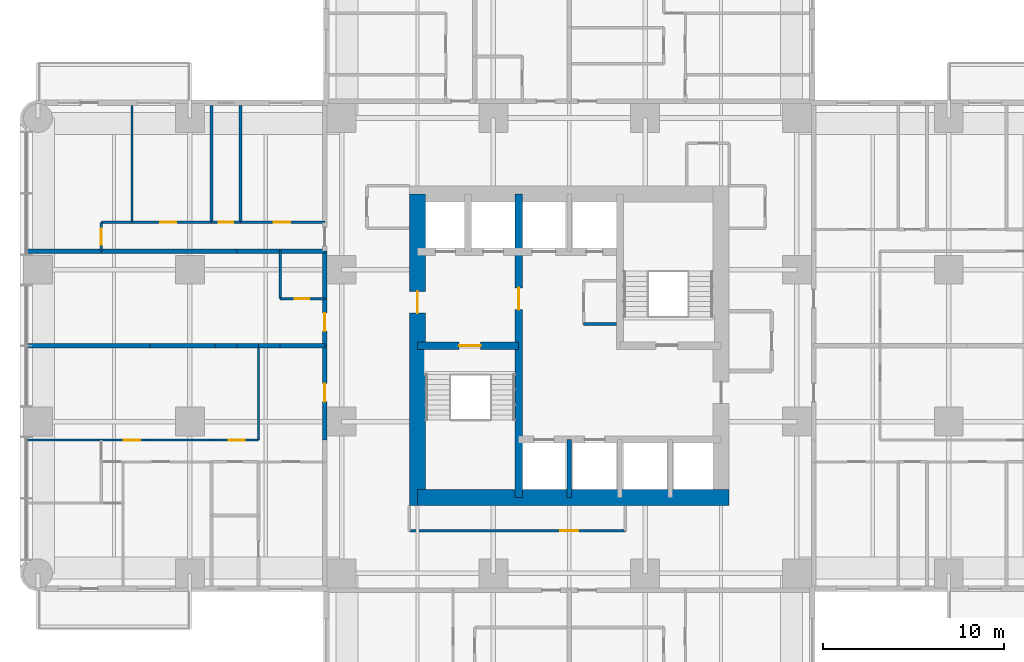
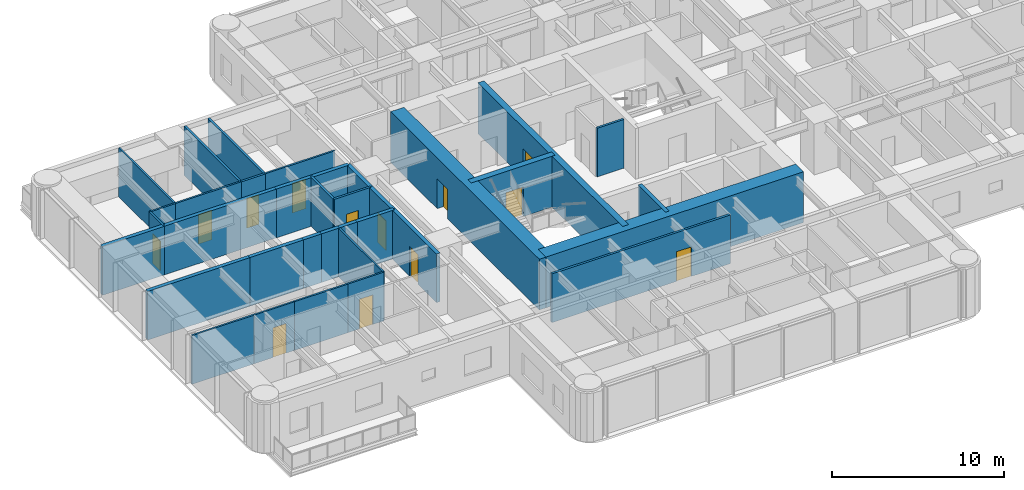
# One storey, part 7 of 14: 35 walls, 13 doors, 13 openings.
"""IFC4 building model written with IfcOpenShell, lengths in metres."""

from ifc_helpers import new_model, si_unit, direction, frame, frame_2d, origin, place, context, subcontext, project, spatial, rectangle, extrude, material, layer, layer_set, type_object, element, fill, save


model = new_model("IFC4")

# Units and contexts
model_context = context("Model", 3, precision=1e-05, world=origin(), true_north=direction((0.0, 1.0)))
body_context = subcontext(model_context, "Body", "Model", "MODEL_VIEW")
ifc_project = project(units=[si_unit("LENGTHUNIT", "METRE"), si_unit("AREAUNIT", "SQUARE_METRE"), si_unit("VOLUMEUNIT", "CUBIC_METRE"), si_unit("PLANEANGLEUNIT", "RADIAN"), si_unit("MASSUNIT", "GRAM", prefix="KILO")], contexts=[model_context])

# Site, building, storey
site_placement = place(None, origin())
site = spatial("IfcSite", under=ifc_project, at=site_placement, CompositionType="ELEMENT")
building_placement = place(site_placement, origin())
building = spatial("IfcBuilding", under=site, at=building_placement, Name="Torre Alcanfor", CompositionType="ELEMENT")
storey_placement = place(building_placement, frame((0.0, 0.0, 134.10009765625)))
storey = spatial("IfcBuildingStorey", under=building, at=storey_placement, Name="L34", CompositionType="ELEMENT", Elevation=134.10009765625)

# Wall, opening, door
ifc_material_1 = material(Name="Concrete block masonry, hollow blocks NMX-C-404 9 MPa", Category="masonry")
ifc_layer_1 = layer(ifc_material_1, 0.25)
ifc_layer_set_1 = layer_set([ifc_layer_1], Name="Apartment entrance wall 250 EI 60")
wall_type_1 = type_object("IfcWallType", Name="Apartment entrance wall 250 EI 60", PredefinedType="PARTITIONING", material=ifc_layer_set_1)
wall_1_placement = place(storey_placement, frame((15.875, 24.1708984375, 0.0), z_axis=(0.0, 0.0, 1.0), x_axis=(0.0, 1.0, 0.0)))
wall_1 = element("IfcWall", 1, at=wall_1_placement, inside=storey, type_object=wall_type_1, Name="Partition L34-CORR / L34-W1-ZAG", PredefinedType="PARTITIONING", context=body_context, shape_type="SweptSolid", body=[
    extrude(rectangle(XDim=5.22900390625, YDim=0.25, at=frame_2d((2.614501953125, 0.0))), origin(), (0.0, 0.0, 1.0), 3.449951171875),
])
opening_1_placement = place(wall_1_placement, frame((2.12890625, 0.0, 0.0)))
opening_1 = element("IfcOpeningElement", 2, at=opening_1_placement, cuts=wall_1, Name="Opening D-A1", PredefinedType="OPENING", context=body_context, shape_type="SweptSolid", body=[
    extrude(rectangle(XDim=1.0, YDim=2.10009765625, at=frame_2d((0.5, 1.050048828125))), frame((0.0, 0.135009765625, 0.0), z_axis=(0.0, -1.0, 0.0), x_axis=(1.0, 0.0, 0.0)), (0.0, 0.0, 1.0), 0.27001953125),
])
ifc_material_2 = material(Name="Galvanised steel sheet ASTM A653", Category="steel")
door_type_1 = type_object("IfcDoorType", Name="Apartment entrance door FD60 1000x2100", OperationType="SINGLE_SWING_LEFT", PredefinedType="DOOR", material=ifc_material_2)
door_1_placement = place(opening_1_placement, origin())
door_1 = element("IfcDoor", 3, at=door_1_placement, inside=storey, type_object=door_type_1, Name="Apartment entrance L34-W1", OperationType="SINGLE_SWING_RIGHT", OverallHeight=2.10009765625, OverallWidth=1.0, PredefinedType="DOOR", context=body_context, shape_type="SweptSolid", body=[
    extrude(rectangle(XDim=1.0, YDim=2.10009765625, at=frame_2d((0.5, 1.050048828125))), frame((0.0, 0.02490234375, 0.0), z_axis=(0.0, -1.0, 0.0), x_axis=(1.0, 0.0, 0.0)), (0.0, 0.0, 1.0), 0.050048828125),
])
fill(opening_1, door_1)

wall_2_placement = place(storey_placement, frame((15.875, 29.39990234375, 0.0), z_axis=(0.0, 0.0, 1.0), x_axis=(0.0, 1.0, 0.0)))
wall_2 = element("IfcWall", 4, at=wall_2_placement, inside=storey, type_object=wall_type_1, Name="Partition L34-CORR / L34-W2A-FOYER", PredefinedType="PARTITIONING", context=body_context, shape_type="SweptSolid", body=[
    extrude(rectangle(XDim=2.60009765625, YDim=0.25, at=frame_2d((1.300048828125, 0.0))), origin(), (0.0, 0.0, 1.0), 3.449951171875),
])
opening_2_placement = place(wall_2_placement, frame((0.800048828125, 0.0, 0.0)))
opening_2 = element("IfcOpeningElement", 5, at=opening_2_placement, cuts=wall_2, Name="Opening D-A1", PredefinedType="OPENING", context=body_context, shape_type="SweptSolid", body=[
    extrude(rectangle(XDim=1.0, YDim=2.10009765625, at=frame_2d((0.5, 1.050048828125))), frame((0.0, 0.135009765625, 0.0), z_axis=(0.0, -1.0, 0.0), x_axis=(1.0, 0.0, 0.0)), (0.0, 0.0, 1.0), 0.27001953125),
])
door_2_placement = place(opening_2_placement, origin())
door_2 = element("IfcDoor", 6, at=door_2_placement, inside=storey, type_object=door_type_1, Name="Apartment entrance L34-W2A", OperationType="SINGLE_SWING_LEFT", OverallHeight=2.10009765625, OverallWidth=1.0, PredefinedType="DOOR", context=body_context, shape_type="SweptSolid", body=[
    extrude(rectangle(XDim=1.0, YDim=2.10009765625, at=frame_2d((0.5, 1.050048828125))), frame((0.0, 0.02490234375, 0.0), z_axis=(0.0, -1.0, 0.0), x_axis=(1.0, 0.0, 0.0)), (0.0, 0.0, 1.0), 0.050048828125),
])
fill(opening_2, door_2)

# Walls
wall_3_placement = place(storey_placement, frame((15.875, 32.0, 0.0), z_axis=(0.0, 0.0, 1.0), x_axis=(0.0, 1.0, 0.0)))
element("IfcWall", 7, at=wall_3_placement, inside=storey, type_object=wall_type_1, Name="Partition L34-CORR / L34-W2A-BATH", PredefinedType="PARTITIONING", context=body_context, shape_type="SweptSolid", body=[
    extrude(rectangle(XDim=2.62890625, YDim=0.25, at=frame_2d((1.314453125, 0.0))), origin(), (0.0, 0.0, 1.0), 3.449951171875),
])
ifc_material_3 = material(Name="Gypsum board on steel studs", Category="steel")
ifc_layer_2 = layer(ifc_material_3, 0.1201171875)
ifc_layer_set_2 = layer_set([ifc_layer_2], Name="Apartment partition 120")
wall_type_2 = type_object("IfcWallType", Name="Apartment partition 120", PredefinedType="PARTITIONING", material=ifc_layer_set_2)
wall_4_placement = place(storey_placement, frame((12.199951171875, 29.39990234375, 0.0), z_axis=(0.0, 0.0, 1.0), x_axis=(0.0, -1.0, 0.0)))
element("IfcWall", 8, at=wall_4_placement, inside=storey, type_object=wall_type_2, Name="Partition L34-W1-ZAG / L34-W1-LAUND", PredefinedType="PARTITIONING", context=body_context, shape_type="SweptSolid", body=[
    extrude(rectangle(XDim=5.22900390625, YDim=0.1201171875, at=frame_2d((2.614501953125, 0.0))), origin(), (0.0, 0.0, 1.0), 3.449951171875),
])

# Wall, opening, door
wall_5_placement = place(storey_placement, frame((9.800048828125, 24.1708984375, 0.0), z_axis=(0.0, 0.0, 1.0), x_axis=(1.0, 0.0, 0.0)))
wall_5 = element("IfcWall", 9, at=wall_5_placement, inside=storey, type_object=wall_type_2, Name="Partition L34-W1-LAUND / L34-W1-HALL", PredefinedType="PARTITIONING", context=body_context, shape_type="SweptSolid", body=[
    extrude(rectangle(XDim=2.39990234375, YDim=0.1201171875, at=frame_2d((1.199951171875, 0.0))), origin(), (0.0, 0.0, 1.0), 3.449951171875),
])
opening_3_placement = place(wall_5_placement, frame((0.75, 0.0, 0.0)))
opening_3 = element("IfcOpeningElement", 10, at=opening_3_placement, cuts=wall_5, Name="Opening D-R1", PredefinedType="OPENING", context=body_context, shape_type="SweptSolid", body=[
    extrude(rectangle(XDim=0.89990234375, YDim=2.10009765625, at=frame_2d((0.449951171875, 1.050048828125))), frame((0.0, 0.070068359375, 0.0), z_axis=(0.0, -1.0, 0.0), x_axis=(1.0, 0.0, 0.0)), (0.0, 0.0, 1.0), 0.14013671875),
])
ifc_material_4 = material(Name="Timber", Category="wood")
door_type_2 = type_object("IfcDoorType", Name="Internal door 900x2100", OperationType="SINGLE_SWING_LEFT", PredefinedType="DOOR", material=ifc_material_4)
door_3_placement = place(opening_3_placement, origin())
door_3 = element("IfcDoor", 11, at=door_3_placement, inside=storey, type_object=door_type_2, Name="Door L34-W1 laund", OperationType="SINGLE_SWING_LEFT", OverallHeight=2.10009765625, OverallWidth=0.89990234375, PredefinedType="DOOR", context=body_context, shape_type="SweptSolid", body=[
    extrude(rectangle(XDim=0.89990234375, YDim=2.10009765625, at=frame_2d((0.449951171875, 1.050048828125))), frame((0.0, 0.02490234375, 0.0), z_axis=(0.0, -1.0, 0.0), x_axis=(1.0, 0.0, 0.0)), (0.0, 0.0, 1.0), 0.050048828125),
])
fill(opening_3, door_3)

# Wall
wall_6_placement = place(storey_placement, frame((6.199951171875, 24.1708984375, 0.0), z_axis=(0.0, 0.0, 1.0), x_axis=(1.0, 0.0, 0.0)))
element("IfcWall", 12, at=wall_6_placement, inside=storey, type_object=wall_type_2, Name="Partition L34-W1-KITCHEN / L34-W1-HALL", PredefinedType="PARTITIONING", context=body_context, shape_type="SweptSolid", body=[
    extrude(rectangle(XDim=3.60009765625, YDim=0.1201171875, at=frame_2d((1.800048828125, 0.0))), origin(), (0.0, 0.0, 1.0), 3.449951171875),
])

# Wall, opening, door
wall_7_placement = place(storey_placement, frame((3.5, 24.1708984375, 0.0), z_axis=(0.0, 0.0, 1.0), x_axis=(1.0, 0.0, 0.0)))
wall_7 = element("IfcWall", 13, at=wall_7_placement, inside=storey, type_object=wall_type_2, Name="Partition L34-W1-LIVING / L34-W1-HALL", PredefinedType="PARTITIONING", context=body_context, shape_type="SweptSolid", body=[
    extrude(rectangle(XDim=2.699951171875, YDim=0.1201171875, at=frame_2d((1.35009765625, 0.0))), origin(), (0.0, 0.0, 1.0), 3.449951171875),
])
opening_4_placement = place(wall_7_placement, frame((1.25, 0.0, 0.0)))
opening_4 = element("IfcOpeningElement", 14, at=opening_4_placement, cuts=wall_7, Name="Opening D-R1", PredefinedType="OPENING", context=body_context, shape_type="SweptSolid", body=[
    extrude(rectangle(XDim=0.89990234375, YDim=2.10009765625, at=frame_2d((0.449951171875, 1.050048828125))), frame((0.0, 0.070068359375, 0.0), z_axis=(0.0, -1.0, 0.0), x_axis=(1.0, 0.0, 0.0)), (0.0, 0.0, 1.0), 0.14013671875),
])
door_4_placement = place(opening_4_placement, origin())
door_4 = element("IfcDoor", 15, at=door_4_placement, inside=storey, type_object=door_type_2, Name="Door L34-W1 living", OperationType="SINGLE_SWING_RIGHT", OverallHeight=2.10009765625, OverallWidth=0.89990234375, PredefinedType="DOOR", context=body_context, shape_type="SweptSolid", body=[
    extrude(rectangle(XDim=0.89990234375, YDim=2.10009765625, at=frame_2d((0.449951171875, 1.050048828125))), frame((0.0, 0.02490234375, 0.0), z_axis=(0.0, -1.0, 0.0), x_axis=(1.0, 0.0, 0.0)), (0.0, 0.0, 1.0), 0.050048828125),
])
fill(opening_4, door_4)

# Wall
wall_8_placement = place(storey_placement, frame((-0.64990234375, 24.1708984375, 0.0), z_axis=(0.0, 0.0, 1.0), x_axis=(1.0, 0.0, 0.0)))
element("IfcWall", 16, at=wall_8_placement, inside=storey, type_object=wall_type_2, Name="Partition L34-W1-LIVING / L34-W1-BED2", PredefinedType="PARTITIONING", context=body_context, shape_type="SweptSolid", body=[
    extrude(rectangle(XDim=4.14990234375, YDim=0.1201171875, at=frame_2d((2.074951171875, 0.0))), origin(), (0.0, 0.0, 1.0), 3.449951171875),
])

# Wall, opening, door
wall_9_placement = place(storey_placement, frame((11.199951171875, 36.22900390625, 0.0), z_axis=(0.0, 0.0, 1.0), x_axis=(1.0, 0.0, 0.0)))
wall_9 = element("IfcWall", 17, at=wall_9_placement, inside=storey, type_object=wall_type_2, Name="Partition L34-W2B-HALL / L34-W2B-MASTER", PredefinedType="PARTITIONING", context=body_context, shape_type="SweptSolid", body=[
    extrude(rectangle(XDim=4.675048828125, YDim=0.1201171875, at=frame_2d((2.33740234375, 0.0))), origin(), (0.0, 0.0, 1.0), 3.449951171875),
])
opening_5_placement = place(wall_9_placement, frame((1.85009765625, 0.0, 0.0)))
opening_5 = element("IfcOpeningElement", 18, at=opening_5_placement, cuts=wall_9, Name="Opening D-R1", PredefinedType="OPENING", context=body_context, shape_type="SweptSolid", body=[
    extrude(rectangle(XDim=0.89990234375, YDim=2.10009765625, at=frame_2d((0.449951171875, 1.050048828125))), frame((0.0, 0.070068359375, 0.0), z_axis=(0.0, -1.0, 0.0), x_axis=(1.0, 0.0, 0.0)), (0.0, 0.0, 1.0), 0.14013671875),
])
door_5_placement = place(opening_5_placement, origin())
door_5 = element("IfcDoor", 19, at=door_5_placement, inside=storey, type_object=door_type_2, Name="Door L34-W2B master", OperationType="SINGLE_SWING_LEFT", OverallHeight=2.10009765625, OverallWidth=0.89990234375, PredefinedType="DOOR", context=body_context, shape_type="SweptSolid", body=[
    extrude(rectangle(XDim=0.89990234375, YDim=2.10009765625, at=frame_2d((0.449951171875, 1.050048828125))), frame((0.0, 0.02490234375, 0.0), z_axis=(0.0, -1.0, 0.0), x_axis=(1.0, 0.0, 0.0)), (0.0, 0.0, 1.0), 0.050048828125),
])
fill(opening_5, door_5)

wall_10_placement = place(storey_placement, frame((5.199951171875, 36.22900390625, 0.0), z_axis=(0.0, 0.0, 1.0), x_axis=(1.0, 0.0, 0.0)))
wall_10 = element("IfcWall", 20, at=wall_10_placement, inside=storey, type_object=wall_type_2, Name="Partition L34-W2B-HALL / L34-W2B-STUDY", PredefinedType="PARTITIONING", context=body_context, shape_type="SweptSolid", body=[
    extrude(rectangle(XDim=4.400146484375, YDim=0.1201171875, at=frame_2d((2.2001953125, 0.0))), origin(), (0.0, 0.0, 1.0), 3.449951171875),
])
opening_6_placement = place(wall_10_placement, frame((1.550048828125, 0.0, 0.0)))
opening_6 = element("IfcOpeningElement", 21, at=opening_6_placement, cuts=wall_10, Name="Opening D-R1", PredefinedType="OPENING", context=body_context, shape_type="SweptSolid", body=[
    extrude(rectangle(XDim=0.89990234375, YDim=2.10009765625, at=frame_2d((0.449951171875, 1.050048828125))), frame((0.0, 0.070068359375, 0.0), z_axis=(0.0, -1.0, 0.0), x_axis=(1.0, 0.0, 0.0)), (0.0, 0.0, 1.0), 0.14013671875),
])
door_6_placement = place(opening_6_placement, origin())
door_6 = element("IfcDoor", 22, at=door_6_placement, inside=storey, type_object=door_type_2, Name="Door L34-W2B study", OperationType="SINGLE_SWING_LEFT", OverallHeight=2.10009765625, OverallWidth=0.89990234375, PredefinedType="DOOR", context=body_context, shape_type="SweptSolid", body=[
    extrude(rectangle(XDim=0.89990234375, YDim=2.10009765625, at=frame_2d((0.449951171875, 1.050048828125))), frame((0.0, 0.02490234375, 0.0), z_axis=(0.0, -1.0, 0.0), x_axis=(1.0, 0.0, 0.0)), (0.0, 0.0, 1.0), 0.050048828125),
])
fill(opening_6, door_6)

# Wall
wall_11_placement = place(storey_placement, frame((3.5, 36.22900390625, 0.0), z_axis=(0.0, 0.0, 1.0), x_axis=(1.0, 0.0, 0.0)))
element("IfcWall", 23, at=wall_11_placement, inside=storey, type_object=wall_type_2, Name="Partition L34-W2B-HALL / L34-W2B-KITCHEN", PredefinedType="PARTITIONING", context=body_context, shape_type="SweptSolid", body=[
    extrude(rectangle(XDim=1.699951171875, YDim=0.1201171875, at=frame_2d((0.85009765625, 0.0))), origin(), (0.0, 0.0, 1.0), 3.449951171875),
])

# Wall, opening, door
wall_12_placement = place(storey_placement, frame((3.5, 34.62890625, 0.0), z_axis=(0.0, 0.0, 1.0), x_axis=(0.0, 1.0, 0.0)))
wall_12 = element("IfcWall", 24, at=wall_12_placement, inside=storey, type_object=wall_type_2, Name="Partition L34-W2B-HALL / L34-W2B-LIVING", PredefinedType="PARTITIONING", context=body_context, shape_type="SweptSolid", body=[
    extrude(rectangle(XDim=1.60009765625, YDim=0.1201171875, at=frame_2d((0.800048828125, 0.0))), origin(), (0.0, 0.0, 1.0), 3.449951171875),
])
opening_7_placement = place(wall_12_placement, frame((0.35009765625, 0.0, 0.0)))
opening_7 = element("IfcOpeningElement", 25, at=opening_7_placement, cuts=wall_12, Name="Opening D-R1", PredefinedType="OPENING", context=body_context, shape_type="SweptSolid", body=[
    extrude(rectangle(XDim=0.89990234375, YDim=2.10009765625, at=frame_2d((0.449951171875, 1.050048828125))), frame((0.0, 0.070068359375, 0.0), z_axis=(0.0, -1.0, 0.0), x_axis=(1.0, 0.0, 0.0)), (0.0, 0.0, 1.0), 0.14013671875),
])
door_7_placement = place(opening_7_placement, origin())
door_7 = element("IfcDoor", 26, at=door_7_placement, inside=storey, type_object=door_type_2, Name="Door L34-W2B living", OperationType="SINGLE_SWING_LEFT", OverallHeight=2.10009765625, OverallWidth=0.89990234375, PredefinedType="DOOR", context=body_context, shape_type="SweptSolid", body=[
    extrude(rectangle(XDim=0.89990234375, YDim=2.10009765625, at=frame_2d((0.449951171875, 1.050048828125))), frame((0.0, 0.02490234375, 0.0), z_axis=(0.0, -1.0, 0.0), x_axis=(1.0, 0.0, 0.0)), (0.0, 0.0, 1.0), 0.050048828125),
])
fill(opening_7, door_7)

# Wall
wall_13_placement = place(storey_placement, frame((5.199951171875, 36.22900390625, 0.0), z_axis=(0.0, 0.0, 1.0), x_axis=(0.0, 1.0, 0.0)))
element("IfcWall", 27, at=wall_13_placement, inside=storey, type_object=wall_type_2, Name="Partition L34-W2B-STUDY / L34-W2B-KITCHEN", PredefinedType="PARTITIONING", context=body_context, shape_type="SweptSolid", body=[
    extrude(rectangle(XDim=6.470947265625, YDim=0.1201171875, at=frame_2d((3.2353515625, 0.0))), origin(), (0.0, 0.0, 1.0), 3.449951171875),
])

# Wall, opening, door
ifc_material_5 = material(Name="Concrete f'c 70 MPa", Category="concrete")
ifc_layer_3 = layer(ifc_material_5, 0.39990234375)
ifc_layer_set_3 = layer_set([ifc_layer_3], Name="Core inner wall 400 f'c70")
wall_type_3 = type_object("IfcWallType", Name="Core inner wall 400 f'c70", PredefinedType="SHEAR", material=ifc_layer_set_3)
wall_14_placement = place(storey_placement, frame((26.60009765625, 21.0, 0.0), z_axis=(0.0, 0.0, 1.0), x_axis=(0.0, 1.0, 0.0)))
wall_14 = element("IfcWall", 28, at=wall_14_placement, inside=storey, type_object=wall_type_3, Name="Core wall X266 L34", PredefinedType="SHEAR", context=body_context, shape_type="SweptSolid", body=[
    extrude(rectangle(XDim=16.800048828125, YDim=0.39990234375, at=frame_2d((8.39990234375, 0.0))), origin(), (0.0, 0.0, 1.0), 3.599853515625),
])
opening_8_placement = place(wall_14_placement, frame((10.39990234375, 0.0, 0.0)))
opening_8 = element("IfcOpeningElement", 29, at=opening_8_placement, cuts=wall_14, Name="Opening D-L1", PredefinedType="OPENING", context=body_context, shape_type="SweptSolid", body=[
    extrude(rectangle(XDim=1.199951171875, YDim=2.10009765625, at=frame_2d((0.60009765625, 1.050048828125))), frame((0.0, 0.2099609375, 0.0), z_axis=(0.0, -1.0, 0.0), x_axis=(1.0, 0.0, 0.0)), (0.0, 0.0, 1.0), 0.419921875),
])
ifc_material_6 = material(Name="Galvanised steel sheet ASTM A653", Category="steel")
door_type_3 = type_object("IfcDoorType", Name="Lobby door FD120 1200x2100", OperationType="SINGLE_SWING_LEFT", PredefinedType="DOOR", material=ifc_material_6)
door_8_placement = place(opening_8_placement, origin())
door_8 = element("IfcDoor", 30, at=door_8_placement, inside=storey, type_object=door_type_3, Name="Lift lobby door L34", OperationType="SINGLE_SWING_LEFT", OverallHeight=2.10009765625, OverallWidth=1.199951171875, PredefinedType="DOOR", context=body_context, shape_type="SweptSolid", body=[
    extrude(rectangle(XDim=1.199951171875, YDim=2.10009765625, at=frame_2d((0.60009765625, 1.050048828125))), frame((0.0, 0.02490234375, 0.0), z_axis=(0.0, -1.0, 0.0), x_axis=(1.0, 0.0, 0.0)), (0.0, 0.0, 1.0), 0.050048828125),
])
fill(opening_8, door_8)

wall_15_placement = place(storey_placement, frame((21.0, 29.39990234375, 0.0), z_axis=(0.0, 0.0, 1.0), x_axis=(1.0, 0.0, 0.0)))
wall_15 = element("IfcWall", 31, at=wall_15_placement, inside=storey, type_object=wall_type_3, Name="Core wall Y294W L34", PredefinedType="SHEAR", context=body_context, shape_type="SweptSolid", body=[
    extrude(rectangle(XDim=5.60009765625, YDim=0.39990234375, at=frame_2d((2.800048828125, 0.0))), origin(), (0.0, 0.0, 1.0), 3.599853515625),
])
opening_9_placement = place(wall_15_placement, frame((2.300048828125, 0.0, 0.0)))
opening_9 = element("IfcOpeningElement", 32, at=opening_9_placement, cuts=wall_15, Name="Opening D-S2", PredefinedType="OPENING", context=body_context, shape_type="SweptSolid", body=[
    extrude(rectangle(XDim=1.199951171875, YDim=2.10009765625, at=frame_2d((0.60009765625, 1.050048828125))), frame((0.0, 0.2099609375, 0.0), z_axis=(0.0, -1.0, 0.0), x_axis=(1.0, 0.0, 0.0)), (0.0, 0.0, 1.0), 0.419921875),
])
ifc_material_7 = material(Name="Galvanised steel sheet ASTM A653", Category="steel")
door_type_4 = type_object("IfcDoorType", Name="Stair enclosure door FD120 1200x2100", OperationType="SINGLE_SWING_LEFT", PredefinedType="DOOR", material=ifc_material_7)
door_9_placement = place(opening_9_placement, frame((1.199951171875, 0.0, 0.0), z_axis=(0.0, 0.0, 1.0), x_axis=(-1.0, 0.0, 0.0)))
door_9 = element("IfcDoor", 33, at=door_9_placement, inside=storey, type_object=door_type_4, Name="Stair S1 door L34", OperationType="SINGLE_SWING_LEFT", OverallHeight=2.10009765625, OverallWidth=1.199951171875, PredefinedType="DOOR", context=body_context, shape_type="SweptSolid", body=[
    extrude(rectangle(XDim=1.199951171875, YDim=2.10009765625, at=frame_2d((0.599853515625, 1.050048828125))), frame((0.0, 0.025146484375, 0.0), z_axis=(0.0, -1.0, 0.0), x_axis=(1.0, 0.0, 0.0)), (0.0, 0.0, 1.0), 0.050048828125),
])
fill(opening_9, door_9)

# Walls
ifc_material_8 = material(Name="Concrete f'c 70 MPa", Category="concrete")
ifc_layer_4 = layer(ifc_material_8, 0.25)
ifc_layer_set_4 = layer_set([ifc_layer_4], Name="Core shaft wall 250 f'c70")
wall_type_4 = type_object("IfcWallType", Name="Core shaft wall 250 f'c70", PredefinedType="SHEAR", material=ifc_layer_set_4)
wall_16_placement = place(storey_placement, frame((29.39990234375, 21.0, 0.0), z_axis=(0.0, 0.0, 1.0), x_axis=(0.0, 1.0, 0.0)))
element("IfcWall", 34, at=wall_16_placement, inside=storey, type_object=wall_type_4, Name="Core wall X294S L34", PredefinedType="SHEAR", context=body_context, shape_type="SweptSolid", body=[
    extrude(rectangle(XDim=3.199951171875, YDim=0.25, at=frame_2d((1.60009765625, 0.0))), origin(), (0.0, 0.0, 1.0), 3.599853515625),
])
ifc_material_9 = material(Name="Concrete f'c 70 MPa", Category="concrete")
ifc_layer_5 = layer(ifc_material_9, 0.89990234375)
ifc_layer_set_5 = layer_set([ifc_layer_5], Name="Core wall 900 f'c70")
wall_type_5 = type_object("IfcWallType", Name="Core wall 900 f'c70", PredefinedType="SHEAR", material=ifc_layer_set_5)
wall_17_placement = place(storey_placement, frame((21.0, 21.0, 0.0), z_axis=(0.0, 0.0, 1.0), x_axis=(1.0, 0.0, 0.0)))
element("IfcWall", 35, at=wall_17_placement, inside=storey, type_object=wall_type_5, Name="Core wall OUT-S L34", PredefinedType="SHEAR", context=body_context, shape_type="SweptSolid", body=[
    extrude(rectangle(XDim=17.25, YDim=0.89990234375, at=frame_2d((8.625, 0.0))), origin(), (0.0, 0.0, 1.0), 3.599853515625),
])

# Wall, opening, door
wall_18_placement = place(storey_placement, frame((21.0, 37.800048828125, 0.0), z_axis=(0.0, 0.0, 1.0), x_axis=(0.0, -1.0, 0.0)))
wall_18 = element("IfcWall", 36, at=wall_18_placement, inside=storey, type_object=wall_type_5, Name="Core wall OUT-W L34", PredefinedType="SHEAR", context=body_context, shape_type="SweptSolid", body=[
    extrude(rectangle(XDim=17.25, YDim=0.89990234375, at=frame_2d((8.625, 0.0))), origin(), (0.0, 0.0, 1.0), 3.599853515625),
])
opening_10_placement = place(wall_18_placement, frame((5.39990234375, 0.0, 0.0)))
opening_10 = element("IfcOpeningElement", 37, at=opening_10_placement, cuts=wall_18, Name="Opening D-L1", PredefinedType="OPENING", context=body_context, shape_type="SweptSolid", body=[
    extrude(rectangle(XDim=1.199951171875, YDim=2.10009765625, at=frame_2d((0.60009765625, 1.050048828125))), frame((0.0, 0.4599609375, 0.0), z_axis=(0.0, -1.0, 0.0), x_axis=(1.0, 0.0, 0.0)), (0.0, 0.0, 1.0), 0.919921875),
])
door_10_placement = place(opening_10_placement, origin())
door_10 = element("IfcDoor", 38, at=door_10_placement, inside=storey, type_object=door_type_3, Name="Firefighting lobby door L34", OperationType="SINGLE_SWING_LEFT", OverallHeight=2.10009765625, OverallWidth=1.199951171875, PredefinedType="DOOR", context=body_context, shape_type="SweptSolid", body=[
    extrude(rectangle(XDim=1.199951171875, YDim=2.10009765625, at=frame_2d((0.60009765625, 1.050048828125))), frame((0.0, 0.02490234375, 0.0), z_axis=(0.0, -1.0, 0.0), x_axis=(1.0, 0.0, 0.0)), (0.0, 0.0, 1.0), 0.050048828125),
])
fill(opening_10, door_10)

# Walls
ifc_material_10 = material(Name="Concrete block masonry, hollow blocks NMX-C-404 9 MPa", Category="masonry")
ifc_layer_6 = layer(ifc_material_10, 0.25)
ifc_layer_set_6 = layer_set([ifc_layer_6], Name="Party wall 250 EI 60")
wall_type_6 = type_object("IfcWallType", Name="Party wall 250 EI 60", PredefinedType="PARTITIONING", material=ifc_layer_set_6)
wall_19_placement = place(storey_placement, frame((15.875, 29.39990234375, 0.0), z_axis=(0.0, 0.0, 1.0), x_axis=(-1.0, 0.0, 0.0)))
element("IfcWall", 39, at=wall_19_placement, inside=storey, type_object=wall_type_6, Name="Partition L34-W1-ZAG / L34-W2A-FOYER", PredefinedType="PARTITIONING", context=body_context, shape_type="SweptSolid", body=[
    extrude(rectangle(XDim=2.47509765625, YDim=0.25, at=frame_2d((1.237548828125, 0.0))), origin(), (0.0, 0.0, 1.0), 3.449951171875),
])
for number, where, z_axis, x_axis, name in (
    (40, (13.39990234375, 29.39990234375, 0.0), (0.0, 0.0, 1.0), (-1.0, 0.0, 0.0), "Partition L34-W1-ZAG / L34-W2A-KITCHEN"),
    (41, (12.199951171875, 29.39990234375, 0.0), (0.0, 0.0, 1.0), (-1.0, 0.0, 0.0), "Partition L34-W1-LAUND / L34-W2A-KITCHEN"),
    (42, (11.0, 29.39990234375, 0.0), (0.0, 0.0, 1.0), (-1.0, 0.0, 0.0), "Partition L34-W1-LAUND / L34-W2A-STUDIO"),
):
    element("IfcWall", number, at=place(storey_placement, frame(where, z_axis=z_axis, x_axis=x_axis)), inside=storey, type_object=wall_type_6, Name=name, PredefinedType="PARTITIONING", context=body_context, shape_type="SweptSolid", body=[
        extrude(rectangle(XDim=1.199951171875, YDim=0.25, at=frame_2d((0.60009765625, 0.0))), origin(), (0.0, 0.0, 1.0), 3.449951171875),
    ])
wall_20_placement = place(storey_placement, frame((9.800048828125, 29.39990234375, 0.0), z_axis=(0.0, 0.0, 1.0), x_axis=(-1.0, 0.0, 0.0)))
element("IfcWall", 43, at=wall_20_placement, inside=storey, type_object=wall_type_6, Name="Partition L34-W1-KITCHEN / L34-W2A-STUDIO", PredefinedType="PARTITIONING", context=body_context, shape_type="SweptSolid", body=[
    extrude(rectangle(XDim=3.60009765625, YDim=0.25, at=frame_2d((1.800048828125, 0.0))), origin(), (0.0, 0.0, 1.0), 3.449951171875),
])
wall_21_placement = place(storey_placement, frame((6.199951171875, 29.39990234375, 0.0), z_axis=(0.0, 0.0, 1.0), x_axis=(-1.0, 0.0, 0.0)))
element("IfcWall", 44, at=wall_21_placement, inside=storey, type_object=wall_type_6, Name="Partition L34-W1-LIVING / L34-W2A-STUDIO", PredefinedType="PARTITIONING", context=body_context, shape_type="SweptSolid", body=[
    extrude(rectangle(XDim=6.849853515625, YDim=0.25, at=frame_2d((3.4248046875, 0.0))), origin(), (0.0, 0.0, 1.0), 3.449951171875),
])
wall_22_placement = place(storey_placement, frame((13.39990234375, 34.62890625, 0.0), z_axis=(0.0, 0.0, 1.0), x_axis=(1.0, 0.0, 0.0)))
element("IfcWall", 45, at=wall_22_placement, inside=storey, type_object=wall_type_6, Name="Partition L34-W2A-BATH / L34-W2B-HALL", PredefinedType="PARTITIONING", context=body_context, shape_type="SweptSolid", body=[
    extrude(rectangle(XDim=2.47509765625, YDim=0.25, at=frame_2d((1.237548828125, 0.0))), origin(), (0.0, 0.0, 1.0), 3.449951171875),
])
wall_23_placement = place(storey_placement, frame((11.0, 34.62890625, 0.0), z_axis=(0.0, 0.0, 1.0), x_axis=(1.0, 0.0, 0.0)))
element("IfcWall", 46, at=wall_23_placement, inside=storey, type_object=wall_type_6, Name="Partition L34-W2A-KITCHEN / L34-W2B-HALL", PredefinedType="PARTITIONING", context=body_context, shape_type="SweptSolid", body=[
    extrude(rectangle(XDim=2.39990234375, YDim=0.25, at=frame_2d((1.199951171875, 0.0))), origin(), (0.0, 0.0, 1.0), 3.449951171875),
])
wall_24_placement = place(storey_placement, frame((3.5, 34.62890625, 0.0), z_axis=(0.0, 0.0, 1.0), x_axis=(1.0, 0.0, 0.0)))
element("IfcWall", 47, at=wall_24_placement, inside=storey, type_object=wall_type_6, Name="Partition L34-W2A-STUDIO / L34-W2B-HALL", PredefinedType="PARTITIONING", context=body_context, shape_type="SweptSolid", body=[
    extrude(rectangle(XDim=7.5, YDim=0.25, at=frame_2d((3.75, 0.0))), origin(), (0.0, 0.0, 1.0), 3.449951171875),
])
wall_25_placement = place(storey_placement, frame((-0.64990234375, 34.62890625, 0.0), z_axis=(0.0, 0.0, 1.0), x_axis=(1.0, 0.0, 0.0)))
element("IfcWall", 48, at=wall_25_placement, inside=storey, type_object=wall_type_6, Name="Partition L34-W2A-STUDIO / L34-W2B-LIVING", PredefinedType="PARTITIONING", context=body_context, shape_type="SweptSolid", body=[
    extrude(rectangle(XDim=4.14990234375, YDim=0.25, at=frame_2d((2.074951171875, 0.0))), origin(), (0.0, 0.0, 1.0), 3.449951171875),
])

# Wall, opening, door
ifc_material_11 = material(Name="Concrete block masonry, hollow blocks NMX-C-404 9 MPa", Category="masonry")
ifc_layer_7 = layer(ifc_material_11, 0.14990234375)
ifc_layer_set_7 = layer_set([ifc_layer_7], Name="Residents' room partition 150")
wall_type_7 = type_object("IfcWallType", Name="Residents' room partition 150", PredefinedType="PARTITIONING", material=ifc_layer_set_7)
wall_26_placement = place(storey_placement, frame((20.550048828125, 19.14990234375, 0.0), z_axis=(0.0, 0.0, 1.0), x_axis=(1.0, 0.0, 0.0)))
wall_26 = element("IfcWall", 49, at=wall_26_placement, inside=storey, type_object=wall_type_7, Name="Partition L34-CORR / L34-G04", PredefinedType="PARTITIONING", context=body_context, shape_type="SweptSolid", body=[
    extrude(rectangle(XDim=11.949951171875, YDim=0.14990234375, at=frame_2d((5.97509765625, 0.0))), origin(), (0.0, 0.0, 1.0), 3.449951171875),
])
opening_11_placement = place(wall_26_placement, frame((8.35009765625, 0.0, 0.0)))
opening_11 = element("IfcOpeningElement", 50, at=opening_11_placement, cuts=wall_26, Name="Opening D-M1", PredefinedType="OPENING", context=body_context, shape_type="SweptSolid", body=[
    extrude(rectangle(XDim=1.0, YDim=2.10009765625, at=frame_2d((0.5, 1.050048828125))), frame((0.0, 0.0849609375, 0.0), z_axis=(0.0, -1.0, 0.0), x_axis=(1.0, 0.0, 0.0)), (0.0, 0.0, 1.0), 0.169921875),
])
ifc_material_12 = material(Name="Timber", Category="wood")
door_type_5 = type_object("IfcDoorType", Name="Residents' room door 1000x2100", OperationType="SINGLE_SWING_LEFT", PredefinedType="DOOR", material=ifc_material_12)
door_11_placement = place(opening_11_placement, origin())
door_11 = element("IfcDoor", 51, at=door_11_placement, inside=storey, type_object=door_type_5, Name="Door L34-G04 residents' study room", OperationType="SINGLE_SWING_RIGHT", OverallHeight=2.10009765625, OverallWidth=1.0, PredefinedType="DOOR", context=body_context, shape_type="SweptSolid", body=[
    extrude(rectangle(XDim=1.0, YDim=2.10009765625, at=frame_2d((0.5, 1.050048828125))), frame((0.0, 0.02490234375, 0.0), z_axis=(0.0, -1.0, 0.0), x_axis=(1.0, 0.0, 0.0)), (0.0, 0.0, 1.0), 0.050048828125),
])
fill(opening_11, door_11)

# Wall
wall_27_placement = place(storey_placement, frame((32.0, 30.60009765625, 0.0), z_axis=(0.0, 0.0, 1.0), x_axis=(-1.0, 0.0, 0.0)))
element("IfcWall", 52, at=wall_27_placement, inside=storey, type_object=wall_type_7, Name="Partition L34-LL / L34-CR1", PredefinedType="PARTITIONING", context=body_context, shape_type="SweptSolid", body=[
    extrude(rectangle(XDim=1.800048828125, YDim=0.14990234375, at=frame_2d((0.89990234375, 0.0))), origin(), (0.0, 0.0, 1.0), 3.449951171875),
])

# Wall, opening, door
ifc_material_13 = material(Name="Cement board on steel studs", Category="steel")
ifc_layer_8 = layer(ifc_material_13, 0.14990234375)
ifc_layer_set_8 = layer_set([ifc_layer_8], Name="Wet area partition 150")
wall_type_8 = type_object("IfcWallType", Name="Wet area partition 150", PredefinedType="PARTITIONING", material=ifc_layer_set_8)
wall_28_placement = place(storey_placement, frame((13.39990234375, 32.0, 0.0), z_axis=(0.0, 0.0, 1.0), x_axis=(1.0, 0.0, 0.0)))
wall_28 = element("IfcWall", 53, at=wall_28_placement, inside=storey, type_object=wall_type_8, Name="Partition L34-W2A-FOYER / L34-W2A-BATH", PredefinedType="PARTITIONING", context=body_context, shape_type="SweptSolid", body=[
    extrude(rectangle(XDim=2.47509765625, YDim=0.14990234375, at=frame_2d((1.237548828125, 0.0))), origin(), (0.0, 0.0, 1.0), 3.449951171875),
])
opening_12_placement = place(wall_28_placement, frame((0.800048828125, 0.0, 0.0)))
opening_12 = element("IfcOpeningElement", 54, at=opening_12_placement, cuts=wall_28, Name="Opening D-R2", PredefinedType="OPENING", context=body_context, shape_type="SweptSolid", body=[
    extrude(rectangle(XDim=0.800048828125, YDim=2.10009765625, at=frame_2d((0.39990234375, 1.050048828125))), frame((0.0, 0.0849609375, 0.0), z_axis=(0.0, -1.0, 0.0), x_axis=(1.0, 0.0, 0.0)), (0.0, 0.0, 1.0), 0.169921875),
])
ifc_material_14 = material(Name="Timber", Category="wood")
door_type_6 = type_object("IfcDoorType", Name="Bathroom door 800x2100", OperationType="SINGLE_SWING_LEFT", PredefinedType="DOOR", material=ifc_material_14)
door_12_placement = place(opening_12_placement, origin())
door_12 = element("IfcDoor", 55, at=door_12_placement, inside=storey, type_object=door_type_6, Name="Door L34-W2A bath", OperationType="SINGLE_SWING_LEFT", OverallHeight=2.10009765625, OverallWidth=0.800048828125, PredefinedType="DOOR", context=body_context, shape_type="SweptSolid", body=[
    extrude(rectangle(XDim=0.800048828125, YDim=2.10009765625, at=frame_2d((0.39990234375, 1.050048828125))), frame((0.0, 0.02490234375, 0.0), z_axis=(0.0, -1.0, 0.0), x_axis=(1.0, 0.0, 0.0)), (0.0, 0.0, 1.0), 0.050048828125),
])
fill(opening_12, door_12)

# Wall
wall_29_placement = place(storey_placement, frame((13.39990234375, 32.0, 0.0), z_axis=(0.0, 0.0, 1.0), x_axis=(0.0, 1.0, 0.0)))
element("IfcWall", 56, at=wall_29_placement, inside=storey, type_object=wall_type_8, Name="Partition L34-W2A-BATH / L34-W2A-KITCHEN", PredefinedType="PARTITIONING", context=body_context, shape_type="SweptSolid", body=[
    extrude(rectangle(XDim=2.62890625, YDim=0.14990234375, at=frame_2d((1.314453125, 0.0))), origin(), (0.0, 0.0, 1.0), 3.449951171875),
])

# Wall, opening, door
wall_30_placement = place(storey_placement, frame((9.60009765625, 36.22900390625, 0.0), z_axis=(0.0, 0.0, 1.0), x_axis=(1.0, 0.0, 0.0)))
wall_30 = element("IfcWall", 57, at=wall_30_placement, inside=storey, type_object=wall_type_8, Name="Partition L34-W2B-HALL / L34-W2B-BATH", PredefinedType="PARTITIONING", context=body_context, shape_type="SweptSolid", body=[
    extrude(rectangle(XDim=1.599853515625, YDim=0.14990234375, at=frame_2d((0.7998046875, 0.0))), origin(), (0.0, 0.0, 1.0), 3.449951171875),
])
opening_13_placement = place(wall_30_placement, frame((0.39990234375, 0.0, 0.0)))
opening_13 = element("IfcOpeningElement", 58, at=opening_13_placement, cuts=wall_30, Name="Opening D-R2", PredefinedType="OPENING", context=body_context, shape_type="SweptSolid", body=[
    extrude(rectangle(XDim=0.800048828125, YDim=2.10009765625, at=frame_2d((0.39990234375, 1.050048828125))), frame((0.0, 0.0849609375, 0.0), z_axis=(0.0, -1.0, 0.0), x_axis=(1.0, 0.0, 0.0)), (0.0, 0.0, 1.0), 0.169921875),
])
door_13_placement = place(opening_13_placement, origin())
door_13 = element("IfcDoor", 59, at=door_13_placement, inside=storey, type_object=door_type_6, Name="Door L34-W2B bath", OperationType="SINGLE_SWING_LEFT", OverallHeight=2.10009765625, OverallWidth=0.800048828125, PredefinedType="DOOR", context=body_context, shape_type="SweptSolid", body=[
    extrude(rectangle(XDim=0.800048828125, YDim=2.10009765625, at=frame_2d((0.39990234375, 1.050048828125))), frame((0.0, 0.02490234375, 0.0), z_axis=(0.0, -1.0, 0.0), x_axis=(1.0, 0.0, 0.0)), (0.0, 0.0, 1.0), 0.050048828125),
])
fill(opening_13, door_13)

# Walls
for number, where, z_axis, x_axis, name in (
    (60, (11.199951171875, 36.22900390625, 0.0), (0.0, 0.0, 1.0), (0.0, 1.0, 0.0), "Partition L34-W2B-MASTER / L34-W2B-BATH"),
    (61, (9.60009765625, 36.22900390625, 0.0), (0.0, 0.0, 1.0), (0.0, 1.0, 0.0), "Partition L34-W2B-BATH / L34-W2B-STUDY"),
):
    element("IfcWall", number, at=place(storey_placement, frame(where, z_axis=z_axis, x_axis=x_axis)), inside=storey, type_object=wall_type_8, Name=name, PredefinedType="PARTITIONING", context=body_context, shape_type="SweptSolid", body=[
        extrude(rectangle(XDim=6.470947265625, YDim=0.14990234375, at=frame_2d((3.2353515625, 0.0))), origin(), (0.0, 0.0, 1.0), 3.449951171875),
    ])

save(model, "model.ifc")
